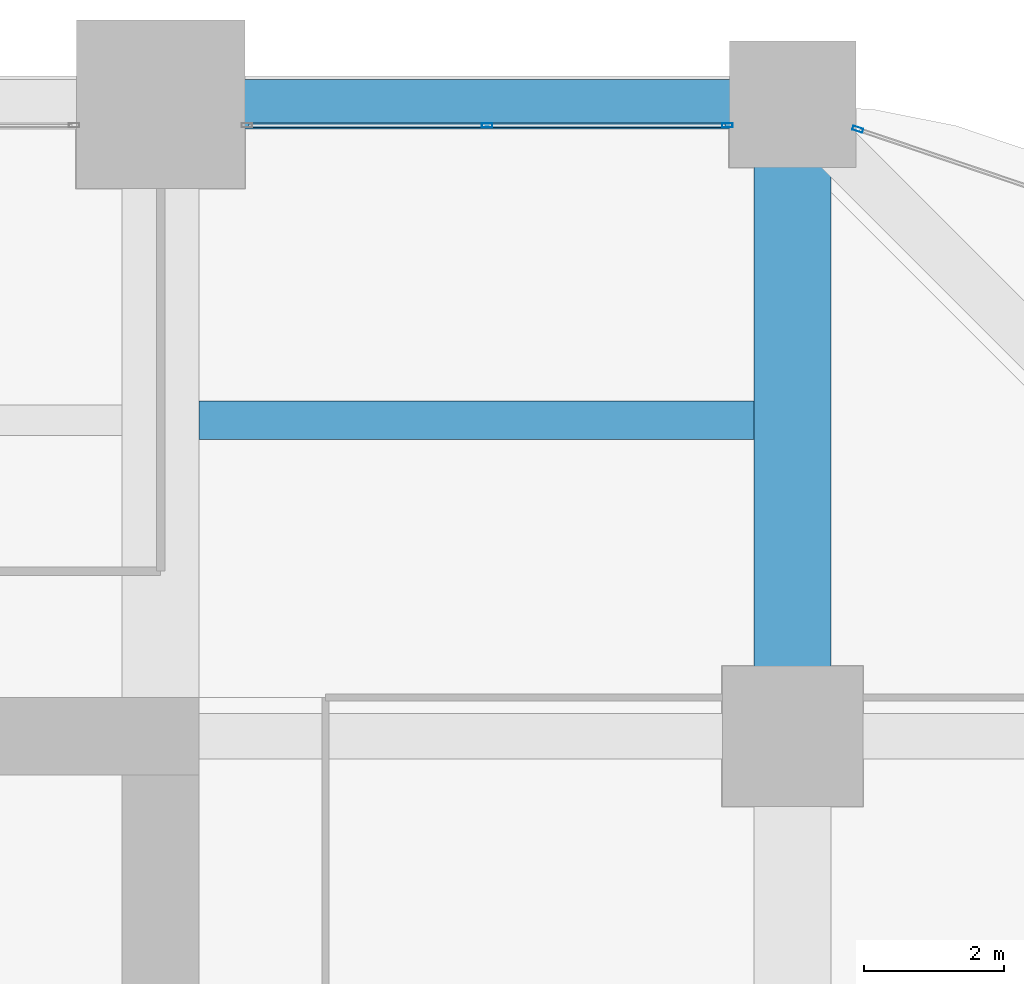
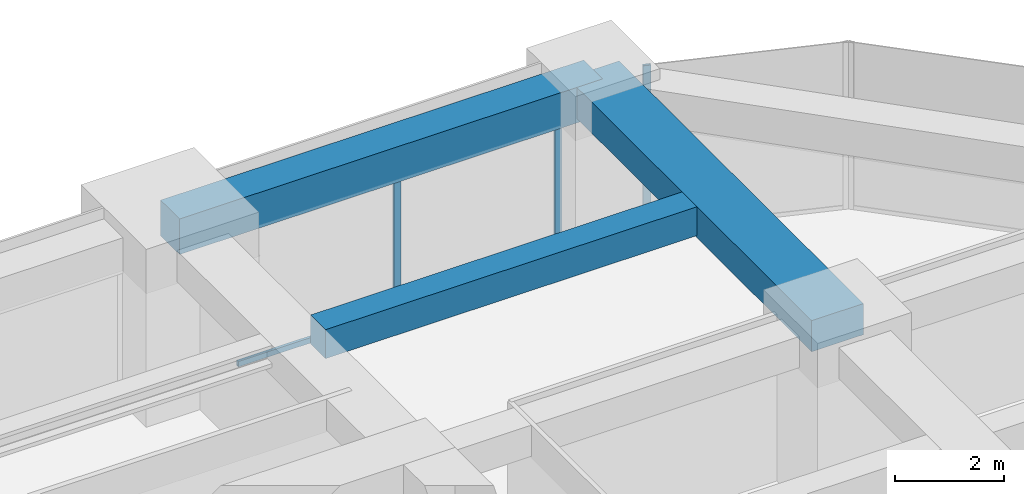
# One storey, part 33 of 39: 4 members, 3 beams, 2 elements without a shape of their own.
"""IFC4 building model written with IfcOpenShell, lengths in metres."""

from ifc_helpers import new_model, si_unit, direction, frame, origin, origin_2d, place, context, subcontext, project, spatial, rectangle, hollow_rectangle, extrude, material, material_profile, profile_set, type_object, element, aggregate, save


model = new_model("IFC4")

# Units and contexts
model_context = context("Model", 3, precision=1e-05, world=origin(), true_north=direction((0.0, 1.0)))
body_context = subcontext(model_context, "Body", "Model", "MODEL_VIEW")
ifc_project = project(units=[si_unit("LENGTHUNIT", "METRE"), si_unit("AREAUNIT", "SQUARE_METRE"), si_unit("VOLUMEUNIT", "CUBIC_METRE"), si_unit("PLANEANGLEUNIT", "RADIAN"), si_unit("MASSUNIT", "GRAM", prefix="KILO")], contexts=[model_context])

# Site, building, storey
site_placement = place(None, origin())
site = spatial("IfcSite", under=ifc_project, at=site_placement, CompositionType="ELEMENT")
building_placement = place(site_placement, origin())
building = spatial("IfcBuilding", under=site, at=building_placement, Name="Zorevar Civic Tower", CompositionType="ELEMENT")
storey_placement = place(building_placement, frame((0.0, 0.0, 117.0)))
storey = spatial("IfcBuildingStorey", under=building, at=storey_placement, Name="L28", CompositionType="ELEMENT", Elevation=117.0)

# Beams
ifc_material_1 = material(Name="Concrete C50/60", Category="concrete")
ifc_material_profile_1 = material_profile(ifc_material_1, rectangle(XDim=1.10009765625, YDim=0.699951171875, at=origin_2d()), Name="RC 1100x700")
ifc_profile_set_1 = profile_set([ifc_material_profile_1], Name="Concrete C50/60")
beam_type_1 = type_object("IfcBeamType", Name="Beam RC 1100x700", PredefinedType="BEAM", material=ifc_profile_set_1)
beam_1_placement = place(storey_placement, frame((54.0, 36.0, 3.39990234375), z_axis=(0.0, 1.0, 0.0), x_axis=(-1.0, 0.0, 0.0)))
element("IfcBeam", 1, at=beam_1_placement, inside=storey, type_object=beam_type_1, Name="Girder L29", PredefinedType="BEAM", context=body_context, shape_type="SweptSolid", body=[
    extrude(rectangle(XDim=1.10009765625, YDim=0.699951171875, at=origin_2d()), origin(), (0.0, 0.0, 1.0), 9.0),
])
ifc_material_2 = material(Name="Concrete C50/60", Category="concrete")
ifc_material_profile_2 = material_profile(ifc_material_2, rectangle(XDim=0.550048828125, YDim=0.64990234375, at=origin_2d()), Name="RC 550x650")
ifc_profile_set_2 = profile_set([ifc_material_profile_2], Name="Concrete C50/60")
beam_type_2 = type_object("IfcBeamType", Name="Beam RC 550x650", PredefinedType="BEAM", material=ifc_profile_set_2)
beam_2_placement = place(storey_placement, frame((45.550048828125, 40.5, 3.425048828125), z_axis=(1.0, 0.0, 0.0), x_axis=(0.0, 1.0, 0.0)))
element("IfcBeam", 2, at=beam_2_placement, inside=storey, type_object=beam_type_2, Name="Secondary beam L29", PredefinedType="BEAM", context=body_context, shape_type="SweptSolid", body=[
    extrude(rectangle(XDim=0.550048828125, YDim=0.64990234375, at=origin_2d()), origin(), (0.0, 0.0, 1.0), 7.89990234375),
])

# Curtain wall, members
ifc_material_3 = material(Name="Dark grey solar-control glass in black aluminium frame", Category="aluminium")
curtain_wall_type = type_object("IfcCurtainWallType", Name="Curtain wall CW3 mid zone", PredefinedType="NOTDEFINED", material=ifc_material_3)
curtain_wall_1_placement = place(storey_placement, origin())
curtain_wall_1 = element("IfcCurtainWall", 3, at=curtain_wall_1_placement, inside=storey, type_object=curtain_wall_type, Name="CW3 L28", PredefinedType="NOTDEFINED")
ifc_material_4 = material(Name="Aluminium, black anodised", Category="aluminium")
ifc_material_profile_3 = material_profile(ifc_material_4, hollow_rectangle(XDim=0.06005859375, YDim=0.14990234375, WallThickness=0.00390625, at=origin_2d()), Name="AL 150x60x4")
ifc_profile_set_3 = profile_set([ifc_material_profile_3], Name="Aluminium, black anodised")
member_type_1 = type_object("IfcMemberType", Name="CW3 mullion AL 150x60x4", PredefinedType="MULLION", material=ifc_profile_set_3)
member_1_placement = place(storey_placement, frame((49.64990234375, 44.699951171875, 0.06005859375), z_axis=(0.0, 0.0, 1.0), x_axis=(0.0, 1.0, 0.0)))
member_1 = element("IfcMember", 4, at=member_1_placement, type_object=member_type_1, Name="CW3 mullion 2", PredefinedType="MULLION", context=body_context, shape_type="SweptSolid", body=[
    extrude(hollow_rectangle(XDim=0.06005859375, YDim=0.14990234375, WallThickness=0.00390625, at=origin_2d()), origin(), (0.0, 0.0, 1.0), 2.889892578125),
])
member_2_placement = place(storey_placement, frame((53.070068359375, 44.699951171875, 0.0), z_axis=(0.0, 0.0, 1.0), x_axis=(0.0, 1.0, 0.0)))
member_2 = element("IfcMember", 5, at=member_2_placement, type_object=member_type_1, Name="CW3 mullion 3", PredefinedType="MULLION", context=body_context, shape_type="SweptSolid", body=[
    extrude(hollow_rectangle(XDim=0.06005859375, YDim=0.14990234375, WallThickness=0.00390625, at=origin_2d()), origin(), (0.0, 0.0, 1.0), 2.949951171875),
])

# Curtain wall, member
curtain_wall_2_placement = place(storey_placement, origin())
curtain_wall_2 = element("IfcCurtainWall", 6, at=curtain_wall_2_placement, inside=storey, type_object=curtain_wall_type, Name="CW3 L28", PredefinedType="NOTDEFINED")
member_3_placement = place(storey_placement, frame((54.928466796875, 44.643798828125, 0.0), z_axis=(0.0, 0.0, 1.0), x_axis=(-0.319412525043, -0.947615765406, 0.0)))
member_3 = element("IfcMember", 7, at=member_3_placement, type_object=member_type_1, Name="CW3 mullion 2", PredefinedType="MULLION", context=body_context, shape_type="SweptSolid", body=[
    extrude(hollow_rectangle(XDim=0.06005859375, YDim=0.14990234375, WallThickness=0.00390625, at=origin_2d()), origin(), (0.0, 0.0, 1.0), 3.75),
])
aggregate(curtain_wall_2, [member_3])

# Member
ifc_material_5 = material(Name="Aluminium, black anodised", Category="aluminium")
ifc_material_profile_4 = material_profile(ifc_material_5, hollow_rectangle(XDim=0.06005859375, YDim=0.1201171875, WallThickness=0.0029296875, at=origin_2d()), Name="AL 120x60x3")
ifc_profile_set_4 = profile_set([ifc_material_profile_4], Name="Aluminium, black anodised")
member_type_2 = type_object("IfcMemberType", Name="CW3 transom AL 120x60x3", PredefinedType="USERDEFINED", material=ifc_profile_set_4)
member_4_placement = place(storey_placement, frame((46.260009765625, 44.699951171875, 0.030029296875), z_axis=(1.0, 0.0, 0.0), x_axis=(0.0, 1.0, 0.0)))
member_4 = element("IfcMember", 8, at=member_4_placement, type_object=member_type_2, Name="CW3 sill transom", ObjectType="TRANSOM", PredefinedType="USERDEFINED", context=body_context, shape_type="SweptSolid", body=[
    extrude(hollow_rectangle(XDim=0.06005859375, YDim=0.1201171875, WallThickness=0.0029296875, at=origin_2d()), origin(), (0.0, 0.0, 1.0), 6.780029296875),
])

aggregate(curtain_wall_1, [member_1, member_2, member_4])

# Beam
ifc_material_6 = material(Name="Concrete C50/60", Category="concrete")
ifc_material_profile_5 = material_profile(ifc_material_6, rectangle(XDim=0.699951171875, YDim=0.800048828125, at=origin_2d()), Name="RC 700x800")
ifc_profile_set_5 = profile_set([ifc_material_profile_5], Name="Concrete C50/60")
beam_type_3 = type_object("IfcBeamType", Name="Edge beam RC 700x800", PredefinedType="SPANDREL", material=ifc_profile_set_5)
beam_3_placement = place(storey_placement, frame((45.0, 45.0, 3.35009765625), z_axis=(1.0, 0.0, 0.0), x_axis=(0.0, 1.0, 0.0)))
element("IfcBeam", 9, at=beam_3_placement, inside=storey, type_object=beam_type_3, Name="Edge beam L29", PredefinedType="SPANDREL", context=body_context, shape_type="SweptSolid", body=[
    extrude(rectangle(XDim=0.699951171875, YDim=0.800048828125, at=origin_2d()), origin(), (0.0, 0.0, 1.0), 9.0),
])

save(model, "model.ifc")
